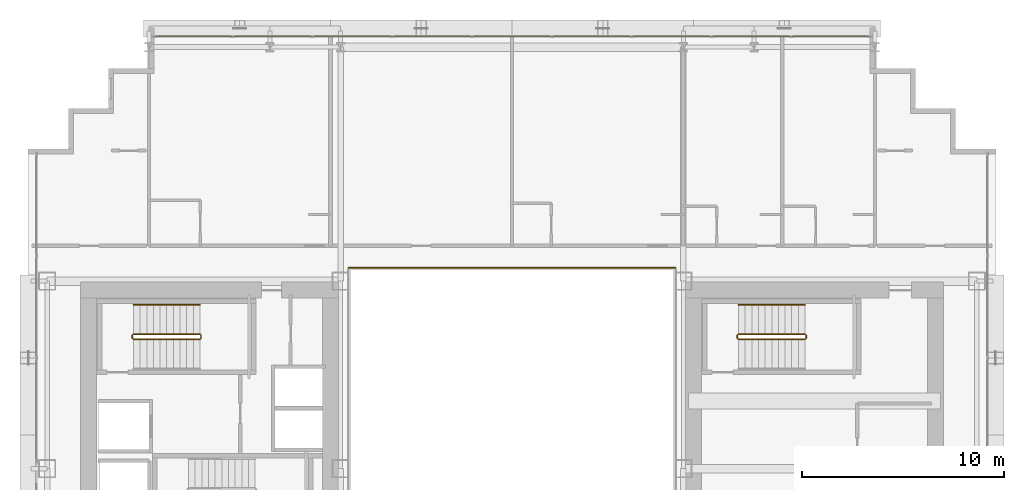
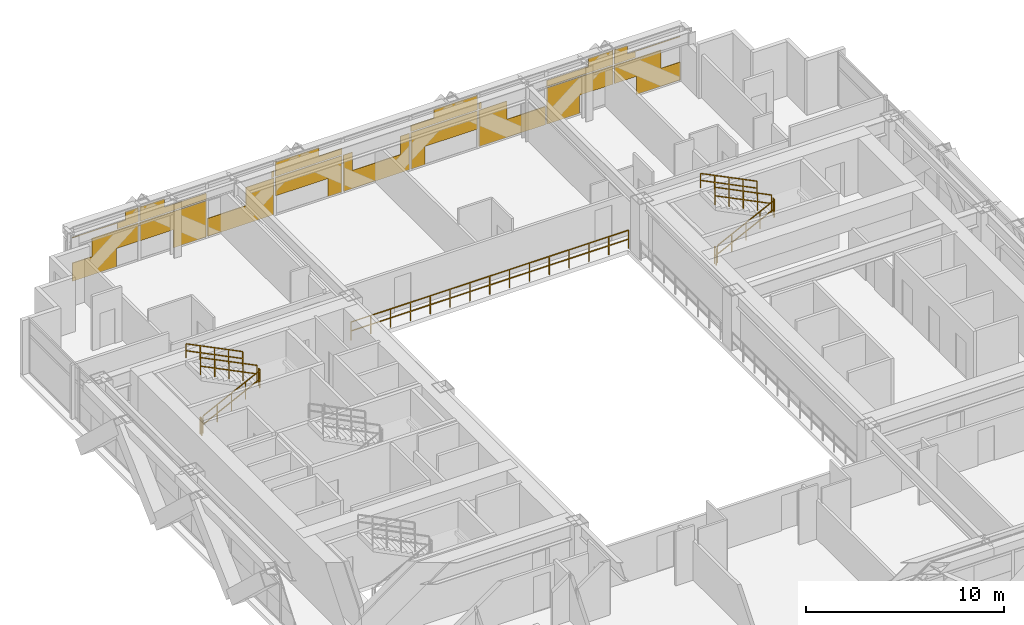
# One storey, part 35 of 35: 11 railings, 1 covering.
"""IFC4 building model written with IfcOpenShell, lengths in metres."""

from ifc_helpers import new_model, si_unit, direction, frame, origin, origin_2d, place, context, subcontext, project, spatial, rectangle, extrude, material, layer, layer_set, type_object, element, save


model = new_model("IFC4")

# Units and contexts
model_context = context("Model", 3, precision=1e-05, world=origin(), true_north=direction((0.0, 1.0)))
body_context = subcontext(model_context, "Body", "Model", "MODEL_VIEW")
ifc_project = project(units=[si_unit("LENGTHUNIT", "METRE"), si_unit("AREAUNIT", "SQUARE_METRE"), si_unit("VOLUMEUNIT", "CUBIC_METRE"), si_unit("PLANEANGLEUNIT", "RADIAN"), si_unit("MASSUNIT", "GRAM", prefix="KILO")], contexts=[model_context])

# Site, building, storey
site_placement = place(None, origin())
site = spatial("IfcSite", under=ifc_project, at=site_placement, CompositionType="ELEMENT")
building_placement = place(site_placement, origin())
building = spatial("IfcBuilding", under=site, at=building_placement, Name="Ocotamira Hotel", CompositionType="ELEMENT")
storey_placement = place(building_placement, frame((0.0, 0.0, 78.0)))
storey = spatial("IfcBuildingStorey", under=building, at=storey_placement, Name="L19", CompositionType="ELEMENT", Elevation=78.0)

# Covering
ifc_material_1 = material(Name="Insulated pale-metal aluminium spandrel panel", Category="aluminium")
ifc_layer = layer(ifc_material_1, 0.044921875)
ifc_layer_set = layer_set([ifc_layer], Name="Insulated pale-metal aluminium spandrel panel")
covering_type = type_object("IfcCoveringType", Name="COV-INFILL-45", PredefinedType="CLADDING", material=ifc_layer_set)
covering_placement = place(storey_placement, origin())
element("IfcCovering", 1, at=covering_placement, inside=storey, type_object=covering_type, Name="L19 Curtain Wall Infill CW-2 CW-L19-N", PredefinedType="CLADDING", context=body_context, shape_type="SweptSolid", body=[
    extrude(rectangle(XDim=2.556396484375, YDim=0.044921875, at=origin_2d()), frame((15.558837890625, 49.580078125, 0.07568359375), z_axis=(0.0, 0.0, 1.0), x_axis=(1.0, 0.0, 0.0)), (0.0, 0.0, 1.0), 1.11767578125),
    extrude(rectangle(XDim=2.7177734375, YDim=0.044921875, at=origin_2d()), frame((16.756103515625, 49.580078125, 1.1943359375), z_axis=(0.0, 0.0, 1.0), x_axis=(1.0, 0.0, 0.0)), (0.0, 0.0, 1.0), 1.117919921875),
    extrude(rectangle(XDim=3.834716796875, YDim=0.044921875, at=origin_2d()), frame((16.19775390625, 49.580078125, 2.73095703125), z_axis=(0.0, 0.0, 1.0), x_axis=(1.0, 0.0, 0.0)), (0.0, 0.0, 1.0), 0.03271484375),
    extrude(rectangle(XDim=1.2255859375, YDim=0.044921875, at=origin_2d()), frame((17.502197265625, 49.580078125, 2.38818359375), z_axis=(0.0, 0.0, 1.0), x_axis=(1.0, 0.0, 0.0)), (0.0, 0.0, 1.0), 0.342041015625),
    extrude(rectangle(XDim=0.754638671875, YDim=0.044921875, at=origin_2d()), frame((17.73779296875, 49.580078125, 2.7646484375), z_axis=(0.0, 0.0, 1.0), x_axis=(1.0, 0.0, 0.0)), (0.0, 0.0, 1.0), 0.509765625),
    extrude(rectangle(XDim=3.87451171875, YDim=0.044921875, at=origin_2d()), frame((20.13330078125, 49.580078125, 1.1943359375), z_axis=(0.0, 0.0, 1.0), x_axis=(1.0, 0.0, 0.0)), (0.0, 0.0, 1.0), 1.117919921875),
    extrude(rectangle(XDim=1.90771484375, YDim=0.044921875, at=origin_2d()), frame((21.11669921875, 49.580078125, 0.07568359375), z_axis=(0.0, 0.0, 1.0), x_axis=(1.0, 0.0, 0.0)), (0.0, 0.0, 1.0), 1.11767578125),
    extrude(rectangle(XDim=3.87451171875, YDim=0.044921875, at=origin_2d()), frame((20.13330078125, 49.580078125, 2.38818359375), z_axis=(0.0, 0.0, 1.0), x_axis=(1.0, 0.0, 0.0)), (0.0, 0.0, 1.0), 0.375732421875),
    extrude(rectangle(XDim=1.443603515625, YDim=0.044921875, at=origin_2d()), frame((18.917724609375, 49.580078125, 2.7646484375), z_axis=(0.0, 0.0, 1.0), x_axis=(1.0, 0.0, 0.0)), (0.0, 0.0, 1.0), 0.509765625),
    extrude(rectangle(XDim=3.87451171875, YDim=0.044921875, at=origin_2d()), frame((24.0888671875, 49.580078125, 0.07568359375), z_axis=(0.0, 0.0, 1.0), x_axis=(1.0, 0.0, 0.0)), (0.0, 0.0, 1.0), 1.11767578125),
    extrude(rectangle(XDim=1.62890625, YDim=0.044921875, at=origin_2d()), frame((25.2119140625, 49.580078125, 1.1943359375), z_axis=(0.0, 0.0, 1.0), x_axis=(1.0, 0.0, 0.0)), (0.0, 0.0, 1.0), 1.117919921875),
    extrude(rectangle(XDim=0.13671875, YDim=0.044921875, at=origin_2d()), frame((25.957763671875, 49.580078125, 2.38818359375), z_axis=(0.0, 0.0, 1.0), x_axis=(1.0, 0.0, 0.0)), (0.0, 0.0, 1.0), 0.375732421875),
    extrude(rectangle(XDim=3.87451171875, YDim=0.044921875, at=origin_2d()), frame((28.04443359375, 49.580078125, 1.1943359375), z_axis=(0.0, 0.0, 1.0), x_axis=(1.0, 0.0, 0.0)), (0.0, 0.0, 1.0), 1.117919921875),
    extrude(rectangle(XDim=0.81884765625, YDim=0.044921875, at=origin_2d()), frame((29.572265625, 49.580078125, 0.07568359375), z_axis=(0.0, 0.0, 1.0), x_axis=(1.0, 0.0, 0.0)), (0.0, 0.0, 1.0), 1.11767578125),
    extrude(rectangle(XDim=3.87451171875, YDim=0.044921875, at=origin_2d()), frame((28.04443359375, 49.580078125, 2.38818359375), z_axis=(0.0, 0.0, 1.0), x_axis=(1.0, 0.0, 0.0)), (0.0, 0.0, 1.0), 0.375732421875),
    extrude(rectangle(XDim=2.532470703125, YDim=0.044921875, at=origin_2d()), frame((27.373291015625, 49.580078125, 2.7646484375), z_axis=(0.0, 0.0, 1.0), x_axis=(1.0, 0.0, 0.0)), (0.0, 0.0, 1.0), 0.509765625),
    extrude(rectangle(XDim=3.87451171875, YDim=0.044921875, at=origin_2d()), frame((32.0, 49.580078125, 0.07568359375), z_axis=(0.0, 0.0, 1.0), x_axis=(1.0, 0.0, 0.0)), (0.0, 0.0, 1.0), 1.11767578125),
    extrude(rectangle(XDim=0.539794921875, YDim=0.044921875, at=origin_2d()), frame((30.332763671875, 49.580078125, 1.1943359375), z_axis=(0.0, 0.0, 1.0), x_axis=(1.0, 0.0, 0.0)), (0.0, 0.0, 1.0), 1.117919921875),
    extrude(rectangle(XDim=0.539794921875, YDim=0.044921875, at=origin_2d()), frame((33.667236328125, 49.580078125, 1.1943359375), z_axis=(0.0, 0.0, 1.0), x_axis=(1.0, 0.0, 0.0)), (0.0, 0.0, 1.0), 1.117919921875),
    extrude(rectangle(XDim=0.81884765625, YDim=0.044921875, at=origin_2d()), frame((34.427734375, 49.580078125, 0.07568359375), z_axis=(0.0, 0.0, 1.0), x_axis=(1.0, 0.0, 0.0)), (0.0, 0.0, 1.0), 1.11767578125),
    extrude(rectangle(XDim=3.87451171875, YDim=0.044921875, at=origin_2d()), frame((35.95556640625, 49.580078125, 1.1943359375), z_axis=(0.0, 0.0, 1.0), x_axis=(1.0, 0.0, 0.0)), (0.0, 0.0, 1.0), 1.117919921875),
    extrude(rectangle(XDim=3.87451171875, YDim=0.044921875, at=origin_2d()), frame((35.95556640625, 49.580078125, 2.38818359375), z_axis=(0.0, 0.0, 1.0), x_axis=(1.0, 0.0, 0.0)), (0.0, 0.0, 1.0), 0.375732421875),
    extrude(rectangle(XDim=2.532470703125, YDim=0.044921875, at=origin_2d()), frame((36.626708984375, 49.580078125, 2.7646484375), z_axis=(0.0, 0.0, 1.0), x_axis=(1.0, 0.0, 0.0)), (0.0, 0.0, 1.0), 0.509765625),
    extrude(rectangle(XDim=3.87451171875, YDim=0.044921875, at=origin_2d()), frame((39.9111328125, 49.580078125, 0.07568359375), z_axis=(0.0, 0.0, 1.0), x_axis=(1.0, 0.0, 0.0)), (0.0, 0.0, 1.0), 1.11767578125),
    extrude(rectangle(XDim=1.62890625, YDim=0.044921875, at=origin_2d()), frame((38.7880859375, 49.580078125, 1.1943359375), z_axis=(0.0, 0.0, 1.0), x_axis=(1.0, 0.0, 0.0)), (0.0, 0.0, 1.0), 1.117919921875),
    extrude(rectangle(XDim=0.13671875, YDim=0.044921875, at=origin_2d()), frame((38.042236328125, 49.580078125, 2.38818359375), z_axis=(0.0, 0.0, 1.0), x_axis=(1.0, 0.0, 0.0)), (0.0, 0.0, 1.0), 0.375732421875),
    extrude(rectangle(XDim=1.90771484375, YDim=0.044921875, at=origin_2d()), frame((42.88330078125, 49.580078125, 0.07568359375), z_axis=(0.0, 0.0, 1.0), x_axis=(1.0, 0.0, 0.0)), (0.0, 0.0, 1.0), 1.11767578125),
    extrude(rectangle(XDim=3.87451171875, YDim=0.044921875, at=origin_2d()), frame((43.86669921875, 49.580078125, 1.1943359375), z_axis=(0.0, 0.0, 1.0), x_axis=(1.0, 0.0, 0.0)), (0.0, 0.0, 1.0), 1.117919921875),
    extrude(rectangle(XDim=3.87451171875, YDim=0.044921875, at=origin_2d()), frame((43.86669921875, 49.580078125, 2.38818359375), z_axis=(0.0, 0.0, 1.0), x_axis=(1.0, 0.0, 0.0)), (0.0, 0.0, 1.0), 0.375732421875),
    extrude(rectangle(XDim=1.443603515625, YDim=0.044921875, at=origin_2d()), frame((45.082275390625, 49.580078125, 2.7646484375), z_axis=(0.0, 0.0, 1.0), x_axis=(1.0, 0.0, 0.0)), (0.0, 0.0, 1.0), 0.509765625),
    extrude(rectangle(XDim=2.7177734375, YDim=0.044921875, at=origin_2d()), frame((47.243896484375, 49.580078125, 1.1943359375), z_axis=(0.0, 0.0, 1.0), x_axis=(1.0, 0.0, 0.0)), (0.0, 0.0, 1.0), 1.117919921875),
    extrude(rectangle(XDim=2.556396484375, YDim=0.044921875, at=origin_2d()), frame((48.441162109375, 49.580078125, 0.07568359375), z_axis=(0.0, 0.0, 1.0), x_axis=(1.0, 0.0, 0.0)), (0.0, 0.0, 1.0), 1.11767578125),
    extrude(rectangle(XDim=1.2255859375, YDim=0.044921875, at=origin_2d()), frame((46.497802734375, 49.580078125, 2.38818359375), z_axis=(0.0, 0.0, 1.0), x_axis=(1.0, 0.0, 0.0)), (0.0, 0.0, 1.0), 0.342041015625),
    extrude(rectangle(XDim=3.834716796875, YDim=0.044921875, at=origin_2d()), frame((47.80224609375, 49.580078125, 2.73095703125), z_axis=(0.0, 0.0, 1.0), x_axis=(1.0, 0.0, 0.0)), (0.0, 0.0, 1.0), 0.03271484375),
    extrude(rectangle(XDim=0.754638671875, YDim=0.044921875, at=origin_2d()), frame((46.26220703125, 49.580078125, 2.7646484375), z_axis=(0.0, 0.0, 1.0), x_axis=(1.0, 0.0, 0.0)), (0.0, 0.0, 1.0), 0.509765625),
])

# Railings
ifc_material_2 = material(Name="Painted steel stair guardrail", Category="steel")
railing_type_1 = type_object("IfcRailingType", Name="RL-EDGE-1150", PredefinedType="GUARDRAIL", material=ifc_material_2)
railing_1_placement = place(storey_placement, frame((40.10009765625, 38.1201171875, 0.0)))
element("IfcRailing", 2, at=railing_1_placement, inside=storey, type_object=railing_type_1, Name="L19 Central Atrium Edge Guardrail N", PredefinedType="GUARDRAIL", context=body_context, shape_type="SweptSolid", body=[
    extrude(rectangle(XDim=0.048095703125, YDim=0.048095703125, at=origin_2d()), frame((0.0, 0.0, 1.1259765625), z_axis=(-1.0, 0.0, 0.0), x_axis=(0.0, -1.0, 0.0)), (0.0, 0.0, 1.0), 16.2001953125),
    extrude(rectangle(XDim=0.048095703125, YDim=0.048095703125, at=origin_2d()), frame((0.0, 0.0, 0.574951171875), z_axis=(-1.0, 0.0, 0.0), x_axis=(0.0, -1.0, 0.0)), (0.0, 0.0, 1.0), 16.2001953125),
    extrude(rectangle(XDim=0.0419921875, YDim=0.0419921875, at=origin_2d()), origin(), (0.0, 0.0, 1.0), 1.101806640625),
    extrude(rectangle(XDim=0.0419921875, YDim=0.0419921875, at=origin_2d()), frame((-1.1572265625, 0.0, 0.0)), (0.0, 0.0, 1.0), 1.101806640625),
    extrude(rectangle(XDim=0.0419921875, YDim=0.0419921875, at=origin_2d()), frame((-2.314208984375, 0.0, 0.0)), (0.0, 0.0, 1.0), 1.101806640625),
    extrude(rectangle(XDim=0.0419921875, YDim=0.0419921875, at=origin_2d()), frame((-3.471435546875, 0.0, 0.0)), (0.0, 0.0, 1.0), 1.101806640625),
    extrude(rectangle(XDim=0.0419921875, YDim=0.0419921875, at=origin_2d()), frame((-4.628662109375, 0.0, 0.0)), (0.0, 0.0, 1.0), 1.101806640625),
    extrude(rectangle(XDim=0.0419921875, YDim=0.0419921875, at=origin_2d()), frame((-5.785888671875, 0.0, 0.0)), (0.0, 0.0, 1.0), 1.101806640625),
    extrude(rectangle(XDim=0.0419921875, YDim=0.0419921875, at=origin_2d()), frame((-6.94287109375, 0.0, 0.0)), (0.0, 0.0, 1.0), 1.101806640625),
    extrude(rectangle(XDim=0.0419921875, YDim=0.0419921875, at=origin_2d()), frame((-8.10009765625, 0.0, 0.0)), (0.0, 0.0, 1.0), 1.101806640625),
    extrude(rectangle(XDim=0.0419921875, YDim=0.0419921875, at=origin_2d()), frame((-9.25732421875, 0.0, 0.0)), (0.0, 0.0, 1.0), 1.101806640625),
    extrude(rectangle(XDim=0.0419921875, YDim=0.0419921875, at=origin_2d()), frame((-10.414306640625, 0.0, 0.0)), (0.0, 0.0, 1.0), 1.101806640625),
    extrude(rectangle(XDim=0.0419921875, YDim=0.0419921875, at=origin_2d()), frame((-11.571533203125, 0.0, 0.0)), (0.0, 0.0, 1.0), 1.101806640625),
    extrude(rectangle(XDim=0.0419921875, YDim=0.0419921875, at=origin_2d()), frame((-12.728759765625, 0.0, 0.0)), (0.0, 0.0, 1.0), 1.101806640625),
    extrude(rectangle(XDim=0.0419921875, YDim=0.0419921875, at=origin_2d()), frame((-13.885986328125, 0.0, 0.0)), (0.0, 0.0, 1.0), 1.101806640625),
    extrude(rectangle(XDim=0.0419921875, YDim=0.0419921875, at=origin_2d()), frame((-15.04296875, 0.0, 0.0)), (0.0, 0.0, 1.0), 1.101806640625),
    extrude(rectangle(XDim=0.0419921875, YDim=0.0419921875, at=origin_2d()), frame((-16.2001953125, 0.0, 0.0)), (0.0, 0.0, 1.0), 1.101806640625),
])
ifc_material_3 = material(Name="Brushed stainless steel handrail", Category="steel")
railing_type_2 = type_object("IfcRailingType", Name="RL-HAND-900", PredefinedType="HANDRAIL", material=ifc_material_3)
for number, where, name in (
    (3, (16.530029296875, 36.280029296875, 2.127197265625), "L19 ST-2 stair handrail 2"),
    (4, (46.530029296875, 36.280029296875, 2.127197265625), "L19 ST-4 stair handrail 2"),
):
    element("IfcRailing", number, at=place(storey_placement, frame(where)), inside=storey, type_object=railing_type_2, Name=name, PredefinedType="HANDRAIL", context=body_context, shape_type="SweptSolid", body=[
        extrude(rectangle(XDim=0.048095703125, YDim=0.048095703125, at=origin_2d()), frame((0.0, 0.0, 0.8759765625), z_axis=(-0.895893744519, 0.0, 0.4442683857), x_axis=(0.0, -1.0, 0.0)), (0.0, 0.0, 1.0), 3.68359375),
        extrude(rectangle(XDim=0.048095703125, YDim=0.048095703125, at=origin_2d()), frame((0.0, 0.0, 0.449951171875), z_axis=(-0.895893744519, 0.0, 0.4442683857), x_axis=(0.0, -1.0, 0.0)), (0.0, 0.0, 1.0), 3.68359375),
        extrude(rectangle(XDim=0.0419921875, YDim=0.0419921875, at=origin_2d()), origin(), (0.0, 0.0, 1.0), 0.851806640625),
        extrude(rectangle(XDim=0.0419921875, YDim=0.0419921875, at=origin_2d()), frame((-0.824951171875, 0.0, 0.4091796875)), (0.0, 0.0, 1.0), 0.851806640625),
        extrude(rectangle(XDim=0.0419921875, YDim=0.0419921875, at=origin_2d()), frame((-1.64990234375, 0.0, 0.818359375)), (0.0, 0.0, 1.0), 0.851806640625),
        extrude(rectangle(XDim=0.0419921875, YDim=0.0419921875, at=origin_2d()), frame((-2.47509765625, 0.0, 1.227294921875)), (0.0, 0.0, 1.0), 0.851806640625),
        extrude(rectangle(XDim=0.0419921875, YDim=0.0419921875, at=origin_2d()), frame((-3.300048828125, 0.0, 1.636474609375)), (0.0, 0.0, 1.0), 0.851806640625),
    ])
railing_type_3 = type_object("IfcRailingType", Name="RL-STAIR-1100", PredefinedType="GUARDRAIL", material=ifc_material_2)
railing_2_placement = place(storey_placement, frame((13.22998046875, 34.56005859375, 0.16357421875)))
element("IfcRailing", 5, at=railing_2_placement, inside=storey, type_object=railing_type_3, Name="L19 ST-2 stair guard 1", PredefinedType="GUARDRAIL", context=body_context, shape_type="SweptSolid", body=[
    extrude(rectangle(XDim=0.048095703125, YDim=0.048095703125, at=origin_2d()), frame((0.0, 0.0, 1.076171875), z_axis=(0.895893744519, 0.0, 0.4442683857), x_axis=(0.0, 1.0, 0.0)), (0.0, 0.0, 1.0), 3.68359375),
    extrude(rectangle(XDim=0.048095703125, YDim=0.048095703125, at=origin_2d()), frame((0.0, 0.0, 0.550048828125), z_axis=(0.895893744519, 0.0, 0.4442683857), x_axis=(0.0, 1.0, 0.0)), (0.0, 0.0, 1.0), 3.68359375),
    extrude(rectangle(XDim=0.0419921875, YDim=0.0419921875, at=origin_2d()), origin(), (0.0, 0.0, 1.0), 1.052001953125),
    extrude(rectangle(XDim=0.0419921875, YDim=0.0419921875, at=origin_2d()), frame((0.824951171875, 0.0, 0.4091796875)), (0.0, 0.0, 1.0), 1.052001953125),
    extrude(rectangle(XDim=0.0419921875, YDim=0.0419921875, at=origin_2d()), frame((1.64990234375, 0.0, 0.818359375)), (0.0, 0.0, 1.0), 1.052001953125),
    extrude(rectangle(XDim=0.0419921875, YDim=0.0419921875, at=origin_2d()), frame((2.47509765625, 0.0, 1.227294921875)), (0.0, 0.0, 1.0), 1.052001953125),
    extrude(rectangle(XDim=0.0419921875, YDim=0.0419921875, at=origin_2d()), frame((3.300048828125, 0.0, 1.636474609375)), (0.0, 0.0, 1.0), 1.052001953125),
])
railing_3_placement = place(storey_placement, frame((16.580078125, 34.610107421875, 1.800048828125)))
element("IfcRailing", 6, at=railing_3_placement, inside=storey, type_object=railing_type_3, Name="L19 ST-2 stair guard 2", PredefinedType="GUARDRAIL", context=body_context, shape_type="SweptSolid", body=[
    extrude(rectangle(XDim=0.048095703125, YDim=0.048095703125, at=origin_2d()), frame((0.0, 0.0, 1.076171875), z_axis=(0.0, 1.0, 0.0), x_axis=(-1.0, 0.0, 0.0)), (0.0, 0.0, 1.0), 0.159912109375),
    extrude(rectangle(XDim=0.048095703125, YDim=0.048095703125, at=origin_2d()), frame((0.0, 0.0, 0.550048828125), z_axis=(0.0, 1.0, 0.0), x_axis=(-1.0, 0.0, 0.0)), (0.0, 0.0, 1.0), 0.159912109375),
    extrude(rectangle(XDim=0.0419921875, YDim=0.0419921875, at=origin_2d()), origin(), (0.0, 0.0, 1.0), 1.052001953125),
    extrude(rectangle(XDim=0.0419921875, YDim=0.0419921875, at=origin_2d()), frame((0.0, 0.159912109375, 0.0)), (0.0, 0.0, 1.0), 1.052001953125),
])
railing_4_placement = place(storey_placement, frame((16.530029296875, 34.820068359375, 1.963623046875)))
element("IfcRailing", 7, at=railing_4_placement, inside=storey, type_object=railing_type_3, Name="L19 ST-2 stair guard 3", PredefinedType="GUARDRAIL", context=body_context, shape_type="SweptSolid", body=[
    extrude(rectangle(XDim=0.048095703125, YDim=0.048095703125, at=origin_2d()), frame((0.0, 0.0, 1.076171875), z_axis=(-0.895893744519, 0.0, 0.4442683857), x_axis=(0.0, -1.0, 0.0)), (0.0, 0.0, 1.0), 3.68359375),
    extrude(rectangle(XDim=0.048095703125, YDim=0.048095703125, at=origin_2d()), frame((0.0, 0.0, 0.550048828125), z_axis=(-0.895893744519, 0.0, 0.4442683857), x_axis=(0.0, -1.0, 0.0)), (0.0, 0.0, 1.0), 3.68359375),
    extrude(rectangle(XDim=0.0419921875, YDim=0.0419921875, at=origin_2d()), origin(), (0.0, 0.0, 1.0), 1.052001953125),
    extrude(rectangle(XDim=0.0419921875, YDim=0.0419921875, at=origin_2d()), frame((-0.824951171875, 0.0, 0.4091796875)), (0.0, 0.0, 1.0), 1.052001953125),
    extrude(rectangle(XDim=0.0419921875, YDim=0.0419921875, at=origin_2d()), frame((-1.64990234375, 0.0, 0.818359375)), (0.0, 0.0, 1.0), 1.052001953125),
    extrude(rectangle(XDim=0.0419921875, YDim=0.0419921875, at=origin_2d()), frame((-2.47509765625, 0.0, 1.227294921875)), (0.0, 0.0, 1.0), 1.052001953125),
    extrude(rectangle(XDim=0.0419921875, YDim=0.0419921875, at=origin_2d()), frame((-3.300048828125, 0.0, 1.636474609375)), (0.0, 0.0, 1.0), 1.052001953125),
])
railing_5_placement = place(storey_placement, frame((13.179931640625, 34.610107421875, 0.0)))
element("IfcRailing", 8, at=railing_5_placement, inside=storey, type_object=railing_type_3, Name="L19 ST-2 stair guard 4", PredefinedType="GUARDRAIL", context=body_context, shape_type="SweptSolid", body=[
    extrude(rectangle(XDim=0.048095703125, YDim=0.048095703125, at=origin_2d()), frame((0.0, 0.0, 1.076171875), z_axis=(0.0, 1.0, 0.0), x_axis=(-1.0, 0.0, 0.0)), (0.0, 0.0, 1.0), 0.159912109375),
    extrude(rectangle(XDim=0.048095703125, YDim=0.048095703125, at=origin_2d()), frame((0.0, 0.0, 0.550048828125), z_axis=(0.0, 1.0, 0.0), x_axis=(-1.0, 0.0, 0.0)), (0.0, 0.0, 1.0), 0.159912109375),
    extrude(rectangle(XDim=0.0419921875, YDim=0.0419921875, at=origin_2d()), origin(), (0.0, 0.0, 1.0), 1.052001953125),
    extrude(rectangle(XDim=0.0419921875, YDim=0.0419921875, at=origin_2d()), frame((0.0, 0.159912109375, 0.0)), (0.0, 0.0, 1.0), 1.052001953125),
])
railing_6_placement = place(storey_placement, frame((43.22998046875, 34.56005859375, 0.16357421875)))
element("IfcRailing", 9, at=railing_6_placement, inside=storey, type_object=railing_type_3, Name="L19 ST-4 stair guard 1", PredefinedType="GUARDRAIL", context=body_context, shape_type="SweptSolid", body=[
    extrude(rectangle(XDim=0.048095703125, YDim=0.048095703125, at=origin_2d()), frame((0.0, 0.0, 1.076171875), z_axis=(0.895893744519, 0.0, 0.4442683857), x_axis=(0.0, 1.0, 0.0)), (0.0, 0.0, 1.0), 3.68359375),
    extrude(rectangle(XDim=0.048095703125, YDim=0.048095703125, at=origin_2d()), frame((0.0, 0.0, 0.550048828125), z_axis=(0.895893744519, 0.0, 0.4442683857), x_axis=(0.0, 1.0, 0.0)), (0.0, 0.0, 1.0), 3.68359375),
    extrude(rectangle(XDim=0.0419921875, YDim=0.0419921875, at=origin_2d()), origin(), (0.0, 0.0, 1.0), 1.052001953125),
    extrude(rectangle(XDim=0.0419921875, YDim=0.0419921875, at=origin_2d()), frame((0.824951171875, 0.0, 0.4091796875)), (0.0, 0.0, 1.0), 1.052001953125),
    extrude(rectangle(XDim=0.0419921875, YDim=0.0419921875, at=origin_2d()), frame((1.64990234375, 0.0, 0.818359375)), (0.0, 0.0, 1.0), 1.052001953125),
    extrude(rectangle(XDim=0.0419921875, YDim=0.0419921875, at=origin_2d()), frame((2.47509765625, 0.0, 1.227294921875)), (0.0, 0.0, 1.0), 1.052001953125),
    extrude(rectangle(XDim=0.0419921875, YDim=0.0419921875, at=origin_2d()), frame((3.300048828125, 0.0, 1.636474609375)), (0.0, 0.0, 1.0), 1.052001953125),
])
railing_7_placement = place(storey_placement, frame((46.580078125, 34.610107421875, 1.800048828125)))
element("IfcRailing", 10, at=railing_7_placement, inside=storey, type_object=railing_type_3, Name="L19 ST-4 stair guard 2", PredefinedType="GUARDRAIL", context=body_context, shape_type="SweptSolid", body=[
    extrude(rectangle(XDim=0.048095703125, YDim=0.048095703125, at=origin_2d()), frame((0.0, 0.0, 1.076171875), z_axis=(0.0, 1.0, 0.0), x_axis=(-1.0, 0.0, 0.0)), (0.0, 0.0, 1.0), 0.159912109375),
    extrude(rectangle(XDim=0.048095703125, YDim=0.048095703125, at=origin_2d()), frame((0.0, 0.0, 0.550048828125), z_axis=(0.0, 1.0, 0.0), x_axis=(-1.0, 0.0, 0.0)), (0.0, 0.0, 1.0), 0.159912109375),
    extrude(rectangle(XDim=0.0419921875, YDim=0.0419921875, at=origin_2d()), origin(), (0.0, 0.0, 1.0), 1.052001953125),
    extrude(rectangle(XDim=0.0419921875, YDim=0.0419921875, at=origin_2d()), frame((0.0, 0.159912109375, 0.0)), (0.0, 0.0, 1.0), 1.052001953125),
])
railing_8_placement = place(storey_placement, frame((46.530029296875, 34.820068359375, 1.963623046875)))
element("IfcRailing", 11, at=railing_8_placement, inside=storey, type_object=railing_type_3, Name="L19 ST-4 stair guard 3", PredefinedType="GUARDRAIL", context=body_context, shape_type="SweptSolid", body=[
    extrude(rectangle(XDim=0.048095703125, YDim=0.048095703125, at=origin_2d()), frame((0.0, 0.0, 1.076171875), z_axis=(-0.895893744519, 0.0, 0.4442683857), x_axis=(0.0, -1.0, 0.0)), (0.0, 0.0, 1.0), 3.68359375),
    extrude(rectangle(XDim=0.048095703125, YDim=0.048095703125, at=origin_2d()), frame((0.0, 0.0, 0.550048828125), z_axis=(-0.895893744519, 0.0, 0.4442683857), x_axis=(0.0, -1.0, 0.0)), (0.0, 0.0, 1.0), 3.68359375),
    extrude(rectangle(XDim=0.0419921875, YDim=0.0419921875, at=origin_2d()), origin(), (0.0, 0.0, 1.0), 1.052001953125),
    extrude(rectangle(XDim=0.0419921875, YDim=0.0419921875, at=origin_2d()), frame((-0.824951171875, 0.0, 0.4091796875)), (0.0, 0.0, 1.0), 1.052001953125),
    extrude(rectangle(XDim=0.0419921875, YDim=0.0419921875, at=origin_2d()), frame((-1.64990234375, 0.0, 0.818359375)), (0.0, 0.0, 1.0), 1.052001953125),
    extrude(rectangle(XDim=0.0419921875, YDim=0.0419921875, at=origin_2d()), frame((-2.47509765625, 0.0, 1.227294921875)), (0.0, 0.0, 1.0), 1.052001953125),
    extrude(rectangle(XDim=0.0419921875, YDim=0.0419921875, at=origin_2d()), frame((-3.300048828125, 0.0, 1.636474609375)), (0.0, 0.0, 1.0), 1.052001953125),
])
railing_9_placement = place(storey_placement, frame((43.179931640625, 34.610107421875, 0.0)))
element("IfcRailing", 12, at=railing_9_placement, inside=storey, type_object=railing_type_3, Name="L19 ST-4 stair guard 4", PredefinedType="GUARDRAIL", context=body_context, shape_type="SweptSolid", body=[
    extrude(rectangle(XDim=0.048095703125, YDim=0.048095703125, at=origin_2d()), frame((0.0, 0.0, 1.076171875), z_axis=(0.0, 1.0, 0.0), x_axis=(-1.0, 0.0, 0.0)), (0.0, 0.0, 1.0), 0.159912109375),
    extrude(rectangle(XDim=0.048095703125, YDim=0.048095703125, at=origin_2d()), frame((0.0, 0.0, 0.550048828125), z_axis=(0.0, 1.0, 0.0), x_axis=(-1.0, 0.0, 0.0)), (0.0, 0.0, 1.0), 0.159912109375),
    extrude(rectangle(XDim=0.0419921875, YDim=0.0419921875, at=origin_2d()), origin(), (0.0, 0.0, 1.0), 1.052001953125),
    extrude(rectangle(XDim=0.0419921875, YDim=0.0419921875, at=origin_2d()), frame((0.0, 0.159912109375, 0.0)), (0.0, 0.0, 1.0), 1.052001953125),
])

save(model, "model.ifc")
